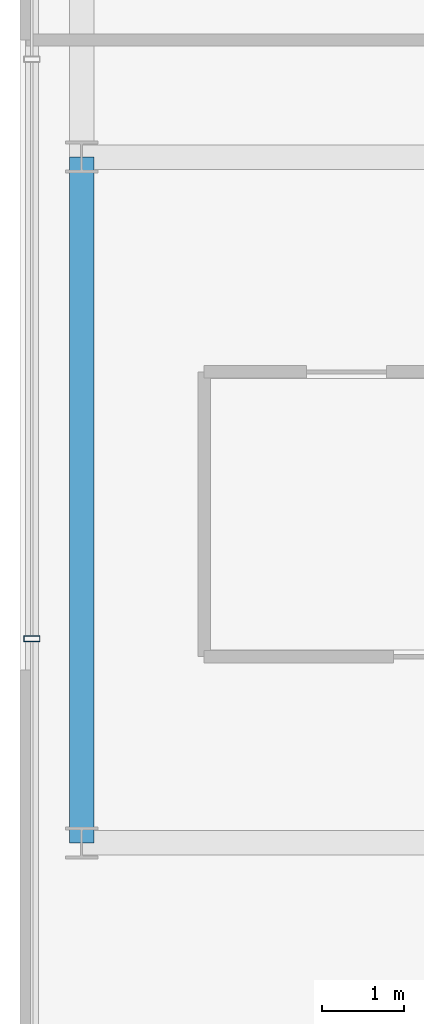
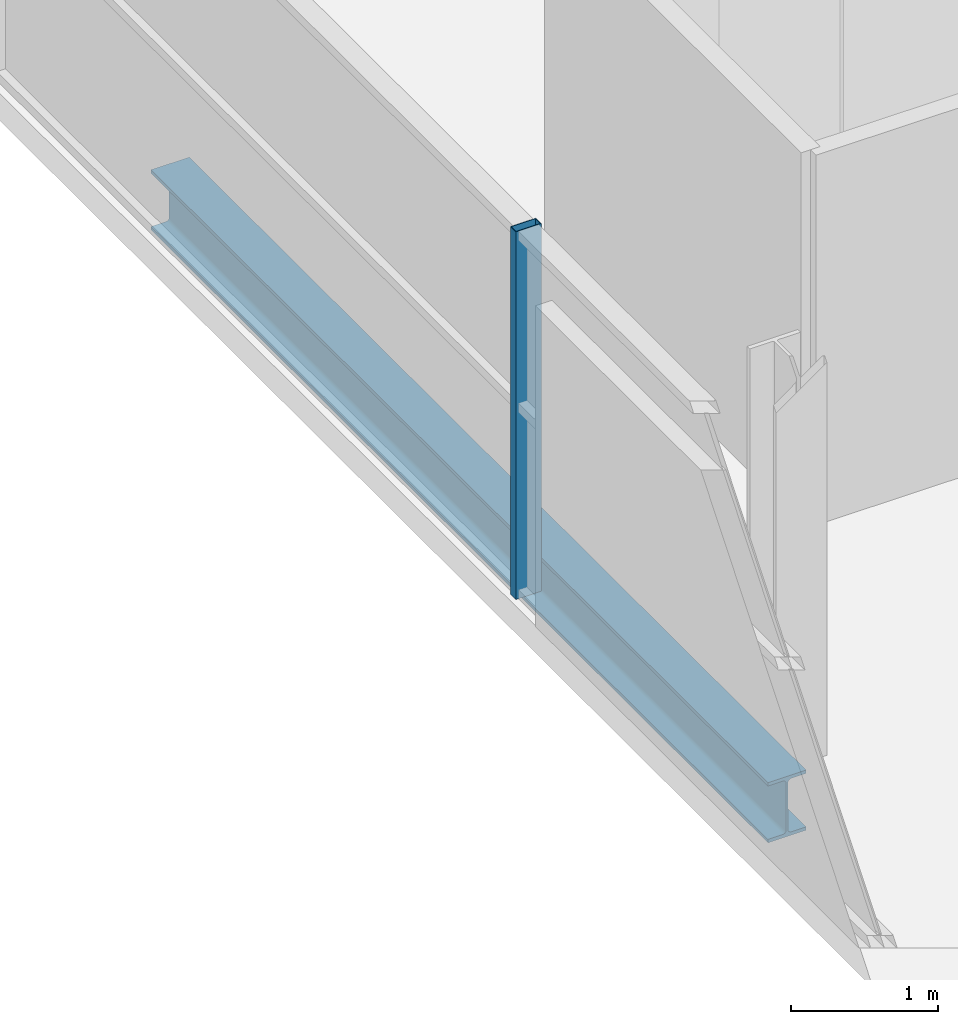
# One storey, part 4 of 25: 1 beam, 1 member, 1 element without a shape of its own.
"""IFC4 building model written with IfcOpenShell, lengths in metres."""

from ifc_helpers import new_model, si_unit, direction, frame, origin, origin_2d, place, context, subcontext, project, spatial, hollow_rectangle, i_section, extrude, source, transform, mapped, material, layer, layer_set, material_profile, profile_set, type_object, element, aggregate, save


model = new_model("IFC4")

# Units and contexts
model_context = context("Model", 3, precision=1e-05, world=origin(), true_north=direction((0.0, 1.0)))
body_context = subcontext(model_context, "Body", "Model", "MODEL_VIEW")
ifc_project = project(units=[si_unit("LENGTHUNIT", "METRE"), si_unit("AREAUNIT", "SQUARE_METRE"), si_unit("VOLUMEUNIT", "CUBIC_METRE"), si_unit("PLANEANGLEUNIT", "RADIAN"), si_unit("MASSUNIT", "GRAM", prefix="KILO")], contexts=[model_context])

# Site, building, storey
site_placement = place(None, origin())
site = spatial("IfcSite", under=ifc_project, at=site_placement, CompositionType="ELEMENT")
building_placement = place(site_placement, origin())
building = spatial("IfcBuilding", under=site, at=building_placement, Name="Zarnakvel Exchange Tower", CompositionType="ELEMENT")
storey_placement = place(building_placement, frame((0.0, 0.0, 162.699951171875)))
storey = spatial("IfcBuildingStorey", under=building, at=storey_placement, Name="L45", CompositionType="ELEMENT", Elevation=162.699951171875)

# Beam
ifc_material_1 = material(Name="Steel S355", Category="steel")
ifc_material_profile_1 = material_profile(ifc_material_1, i_section(OverallWidth=0.300048828125, OverallDepth=0.5, WebThickness=0.014404296875, FlangeThickness=0.028076171875, FilletRadius=0.027099609375, at=origin_2d()))
ifc_profile_set_1 = profile_set([ifc_material_profile_1], Name="Steel S355")
beam_type = type_object("IfcBeamType", Name="SP-02", PredefinedType="SPANDREL", material=ifc_profile_set_1)
beam_placement = place(storey_placement, frame((-25.85009765625, -9.60009765625, -0.474853515625), z_axis=(0.0, 1.0, 0.0), x_axis=(-1.0, 0.0, 0.0)))
element("IfcBeam", 1, at=beam_placement, inside=storey, type_object=beam_type, Name="L45 Tower N-S Frame Beam", PredefinedType="SPANDREL", context=body_context, shape_type="SweptSolid", body=[
    extrude(i_section(OverallWidth=0.300048828125, OverallDepth=0.5, WebThickness=0.014404296875, FlangeThickness=0.028076171875, FilletRadius=0.027099609375, at=origin_2d()), origin(), (0.0, 0.0, 1.0), 8.400146484375),
])

# Curtain wall, member
ifc_material_2 = material(Name="Architectural Bronze Anodised Aluminium", Category="aluminium")
ifc_layer = layer(ifc_material_2, 0.199951171875)
ifc_layer_set = layer_set([ifc_layer], Name="Architectural Bronze Anodised Aluminium")
curtain_wall_type = type_object("IfcCurtainWallType", Name="CW-04", PredefinedType="NOTDEFINED", material=ifc_layer_set)
curtain_wall_placement = place(storey_placement, origin())
curtain_wall = element("IfcCurtainWall", 2, at=curtain_wall_placement, inside=storey, type_object=curtain_wall_type, Name="L45 Curtain Wall CW-L45-W1 (CW-04)", PredefinedType="NOTDEFINED")
ifc_material_profile_2 = material_profile(ifc_material_2, hollow_rectangle(XDim=0.199951171875, YDim=0.074951171875, WallThickness=0.0048828125, at=origin_2d()))
ifc_profile_set_2 = profile_set([ifc_material_profile_2], Name="Architectural Bronze Anodised Aluminium")
member_type = type_object("IfcMemberType", Name="CWM-04", PredefinedType="MULLION", material=ifc_profile_set_2)
shared_shape = source(origin(), body_context, "Body", "SweptSolid", [
    extrude(hollow_rectangle(XDim=0.199951171875, YDim=0.074951171875, WallThickness=0.0048828125, at=origin_2d()), origin(), (0.0, 0.0, 1.0), 3.054931640625),
])
member_placement = place(storey_placement, frame((-26.4599609375, -7.10009765625, 0.0), z_axis=(0.0, 0.0, 1.0), x_axis=(-1.0, 0.0, 0.0)))
member = element("IfcMember", 3, at=member_placement, type_object=member_type, Name="CW-04 mullion 2", PredefinedType="MULLION", context=body_context, shape_type="MappedRepresentation", body=[
    mapped(shared_shape, transform((0.0, 0.0, 0.0), x_axis=(1.0, 0.0, 0.0), y_axis=(0.0, 1.0, 0.0), z_axis=(0.0, 0.0, 1.0), scale=1.0)),
])
aggregate(curtain_wall, [member])

save(model, "model.ifc")
